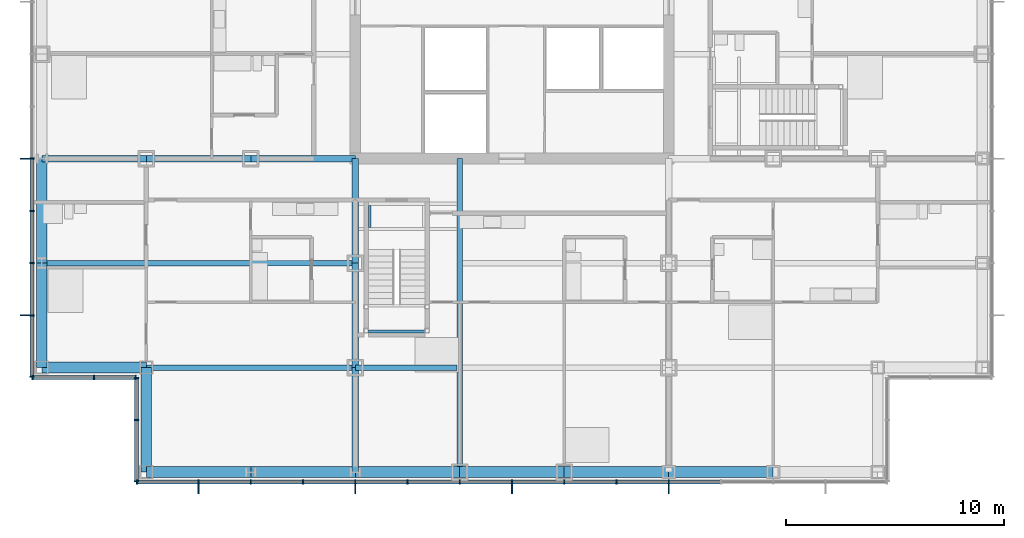
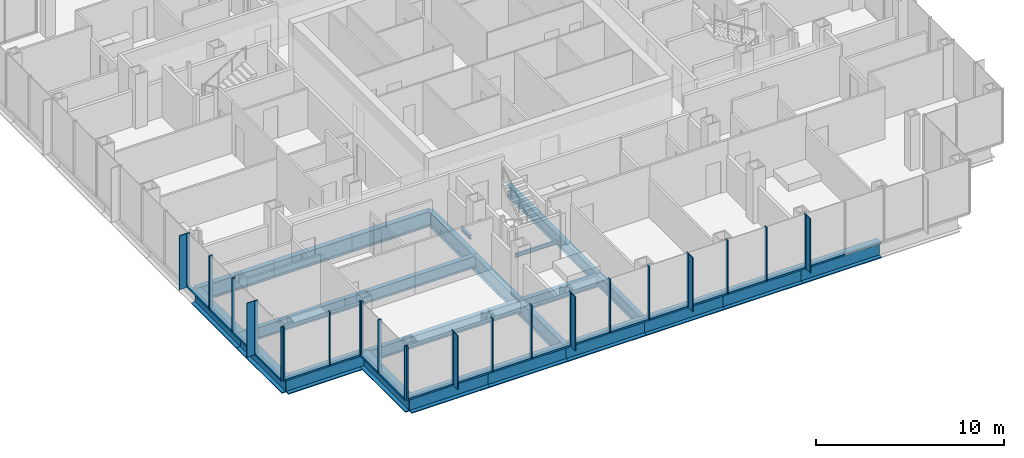
# One storey, part 6 of 21: 47 members, 22 beams, 4 elements without a shape of their own.
"""IFC4 building model written with IfcOpenShell, lengths in metres."""

from ifc_helpers import new_model, si_unit, direction, frame, origin, origin_2d, place, context, subcontext, project, spatial, rectangle, i_section, extrude, material, material_profile, profile_set, type_object, element, aggregate, save


model = new_model("IFC4")

# Units and contexts
model_context = context("Model", 3, precision=1e-05, world=origin(), true_north=direction((0.0, 1.0)))
body_context = subcontext(model_context, "Body", "Model", "MODEL_VIEW")
ifc_project = project(units=[si_unit("LENGTHUNIT", "METRE"), si_unit("AREAUNIT", "SQUARE_METRE"), si_unit("VOLUMEUNIT", "CUBIC_METRE"), si_unit("PLANEANGLEUNIT", "RADIAN"), si_unit("MASSUNIT", "GRAM", prefix="KILO")], contexts=[model_context])

# Site, building, storey
site_placement = place(None, origin())
site = spatial("IfcSite", under=ifc_project, at=site_placement, CompositionType="ELEMENT")
building_placement = place(site_placement, origin())
building = spatial("IfcBuilding", under=site, at=building_placement, Name="Kvirike Care Tower", CompositionType="ELEMENT")
storey_placement = place(building_placement, frame((0.0, 0.0, 58.5)))
storey = spatial("IfcBuildingStorey", under=building, at=storey_placement, Name="L15", CompositionType="ELEMENT", Elevation=58.5)

# Curtain wall, members
ifc_material_1 = material(Name="Anodised aluminium stick system", Category="aluminium")
curtain_wall_type = type_object("IfcCurtainWallType", Name="CW-A STICK CURTAIN WALL", PredefinedType="NOTDEFINED", material=ifc_material_1)
curtain_wall_1_placement = place(storey_placement, origin())
curtain_wall_1 = element("IfcCurtainWall", 1, at=curtain_wall_1_placement, inside=storey, type_object=curtain_wall_type, Name="Curtain wall L15 face 1", PredefinedType="NOTDEFINED")
ifc_material_2 = material(Name="Bronze anodised aluminium fin", Category="aluminium")
ifc_material_profile_1 = material_profile(ifc_material_2, rectangle(XDim=0.050048828125, YDim=0.449951171875, at=origin_2d()), Name="BRONZE FIN 450")
ifc_profile_set_1 = profile_set([ifc_material_profile_1], Name="Bronze anodised aluminium fin")
member_type_1 = type_object("IfcMemberType", Name="BRONZE FIN 450", PredefinedType="USERDEFINED", material=ifc_profile_set_1)
member_1_placement = place(storey_placement, frame((-0.77490234375, 28.800048828125, 0.0), z_axis=(0.0, 0.0, 1.0), x_axis=(0.0, -1.0, 0.0)))
member_1 = element("IfcMember", 2, at=member_1_placement, type_object=member_type_1, Name="Bronze fin L15 face 1.11", ObjectType="FIN", PredefinedType="USERDEFINED", context=body_context, shape_type="SweptSolid", body=[
    extrude(rectangle(XDim=0.050048828125, YDim=0.449951171875, at=origin_2d()), origin(), (0.0, 0.0, 1.0), 3.5),
])
member_2_placement = place(storey_placement, frame((-0.77490234375, 21.60009765625, 0.0), z_axis=(0.0, 0.0, 1.0), x_axis=(0.0, -1.0, 0.0)))
member_2 = element("IfcMember", 3, at=member_2_placement, type_object=member_type_1, Name="Bronze fin L15 face 1.14", ObjectType="FIN", PredefinedType="USERDEFINED", context=body_context, shape_type="SweptSolid", body=[
    extrude(rectangle(XDim=0.050048828125, YDim=0.449951171875, at=origin_2d()), origin(), (0.0, 0.0, 1.0), 3.5),
])

curtain_wall_2_placement = place(storey_placement, origin())
curtain_wall_2 = element("IfcCurtainWall", 4, at=curtain_wall_2_placement, inside=storey, type_object=curtain_wall_type, Name="Curtain wall L15 face 4", PredefinedType="NOTDEFINED")
member_3_placement = place(storey_placement, frame((7.199951171875, 13.625, 0.0), z_axis=(0.0, 0.0, 1.0), x_axis=(1.0, 0.0, 0.0)))
member_3 = element("IfcMember", 5, at=member_3_placement, type_object=member_type_1, Name="Bronze fin L15 face 4.2", ObjectType="FIN", PredefinedType="USERDEFINED", context=body_context, shape_type="SweptSolid", body=[
    extrude(rectangle(XDim=0.050048828125, YDim=0.449951171875, at=origin_2d()), origin(), (0.0, 0.0, 1.0), 3.5),
])
member_4_placement = place(storey_placement, frame((14.39990234375, 13.625, 0.0), z_axis=(0.0, 0.0, 1.0), x_axis=(1.0, 0.0, 0.0)))
member_4 = element("IfcMember", 6, at=member_4_placement, type_object=member_type_1, Name="Bronze fin L15 face 4.5", ObjectType="FIN", PredefinedType="USERDEFINED", context=body_context, shape_type="SweptSolid", body=[
    extrude(rectangle(XDim=0.050048828125, YDim=0.449951171875, at=origin_2d()), origin(), (0.0, 0.0, 1.0), 3.5),
])
member_5_placement = place(storey_placement, frame((21.60009765625, 13.625, 0.0), z_axis=(0.0, 0.0, 1.0), x_axis=(1.0, 0.0, 0.0)))
member_5 = element("IfcMember", 7, at=member_5_placement, type_object=member_type_1, Name="Bronze fin L15 face 4.8", ObjectType="FIN", PredefinedType="USERDEFINED", context=body_context, shape_type="SweptSolid", body=[
    extrude(rectangle(XDim=0.050048828125, YDim=0.449951171875, at=origin_2d()), origin(), (0.0, 0.0, 1.0), 3.5),
])
member_6_placement = place(storey_placement, frame((28.800048828125, 13.625, 0.0), z_axis=(0.0, 0.0, 1.0), x_axis=(1.0, 0.0, 0.0)))
member_6 = element("IfcMember", 8, at=member_6_placement, type_object=member_type_1, Name="Bronze fin L15 face 4.11", ObjectType="FIN", PredefinedType="USERDEFINED", context=body_context, shape_type="SweptSolid", body=[
    extrude(rectangle(XDim=0.050048828125, YDim=0.449951171875, at=origin_2d()), origin(), (0.0, 0.0, 1.0), 3.5),
])

# Member
ifc_material_3 = material(Name="Bronze anodised aluminium mullion", Category="aluminium")
ifc_material_profile_2 = material_profile(ifc_material_3, rectangle(XDim=0.06494140625, YDim=0.199951171875, at=origin_2d()), Name="CW-A MULLION 65x200")
ifc_profile_set_2 = profile_set([ifc_material_profile_2], Name="Bronze anodised aluminium mullion")
member_type_2 = type_object("IfcMemberType", Name="CW-A MULLION 65x200", PredefinedType="MULLION", material=ifc_profile_set_2)
member_7_placement = place(storey_placement, frame((-0.449951171875, 28.800048828125, 0.0), z_axis=(0.0, 0.0, 1.0), x_axis=(0.0, -1.0, 0.0)))
member_7 = element("IfcMember", 9, at=member_7_placement, type_object=member_type_2, Name="CW-A mullion L15 face 1.11", PredefinedType="MULLION", context=body_context, shape_type="SweptSolid", body=[
    extrude(rectangle(XDim=0.06494140625, YDim=0.199951171875, at=origin_2d()), origin(), (0.0, 0.0, 1.0), 3.5),
])

member_8_placement = place(storey_placement, frame((-0.449951171875, 26.39990234375, 0.0), z_axis=(0.0, 0.0, 1.0), x_axis=(0.0, -1.0, 0.0)))
member_8 = element("IfcMember", 10, at=member_8_placement, type_object=member_type_2, Name="CW-A mullion L15 face 1.12", PredefinedType="MULLION", context=body_context, shape_type="SweptSolid", body=[
    extrude(rectangle(XDim=0.06494140625, YDim=0.199951171875, at=origin_2d()), origin(), (0.0, 0.0, 1.0), 3.5),
])

member_9_placement = place(storey_placement, frame((-0.449951171875, 24.0, 0.0), z_axis=(0.0, 0.0, 1.0), x_axis=(0.0, -1.0, 0.0)))
member_9 = element("IfcMember", 11, at=member_9_placement, type_object=member_type_2, Name="CW-A mullion L15 face 1.13", PredefinedType="MULLION", context=body_context, shape_type="SweptSolid", body=[
    extrude(rectangle(XDim=0.06494140625, YDim=0.199951171875, at=origin_2d()), origin(), (0.0, 0.0, 1.0), 3.5),
])

member_10_placement = place(storey_placement, frame((-0.449951171875, 21.60009765625, 0.0), z_axis=(0.0, 0.0, 1.0), x_axis=(0.0, -1.0, 0.0)))
member_10 = element("IfcMember", 12, at=member_10_placement, type_object=member_type_2, Name="CW-A mullion L15 face 1.14", PredefinedType="MULLION", context=body_context, shape_type="SweptSolid", body=[
    extrude(rectangle(XDim=0.06494140625, YDim=0.199951171875, at=origin_2d()), origin(), (0.0, 0.0, 1.0), 3.5),
])

member_11_placement = place(storey_placement, frame((-0.449951171875, 18.782470703125, 0.0), z_axis=(0.0, 0.0, 1.0), x_axis=(0.0, -1.0, 0.0)))
member_11 = element("IfcMember", 13, at=member_11_placement, type_object=member_type_2, Name="CW-A mullion L15 face 1.15", PredefinedType="MULLION", context=body_context, shape_type="SweptSolid", body=[
    extrude(rectangle(XDim=0.06494140625, YDim=0.199951171875, at=origin_2d()), origin(), (0.0, 0.0, 1.0), 3.5),
])

# Curtain wall, members
curtain_wall_3_placement = place(storey_placement, origin())
curtain_wall_3 = element("IfcCurtainWall", 14, at=curtain_wall_3_placement, inside=storey, type_object=curtain_wall_type, Name="Curtain wall L15 face 2", PredefinedType="NOTDEFINED")
member_12_placement = place(storey_placement, frame((-0.41748046875, 18.75, 0.0), z_axis=(0.0, 0.0, 1.0), x_axis=(1.0, 0.0, 0.0)))
member_12 = element("IfcMember", 15, at=member_12_placement, type_object=member_type_2, Name="CW-A mullion L15 face 2.1", PredefinedType="MULLION", context=body_context, shape_type="SweptSolid", body=[
    extrude(rectangle(XDim=0.06494140625, YDim=0.199951171875, at=origin_2d()), origin(), (0.0, 0.0, 1.0), 3.5),
])
member_13_placement = place(storey_placement, frame((2.39990234375, 18.75, 0.0), z_axis=(0.0, 0.0, 1.0), x_axis=(1.0, 0.0, 0.0)))
member_13 = element("IfcMember", 16, at=member_13_placement, type_object=member_type_2, Name="CW-A mullion L15 face 2.2", PredefinedType="MULLION", context=body_context, shape_type="SweptSolid", body=[
    extrude(rectangle(XDim=0.06494140625, YDim=0.199951171875, at=origin_2d()), origin(), (0.0, 0.0, 1.0), 3.5),
])
member_14_placement = place(storey_placement, frame((4.3173828125, 18.75, 0.0), z_axis=(0.0, 0.0, 1.0), x_axis=(1.0, 0.0, 0.0)))
member_14 = element("IfcMember", 17, at=member_14_placement, type_object=member_type_2, Name="CW-A mullion L15 face 2.3", PredefinedType="MULLION", context=body_context, shape_type="SweptSolid", body=[
    extrude(rectangle(XDim=0.06494140625, YDim=0.199951171875, at=origin_2d()), origin(), (0.0, 0.0, 1.0), 3.5),
])

curtain_wall_4_placement = place(storey_placement, origin())
curtain_wall_4 = element("IfcCurtainWall", 18, at=curtain_wall_4_placement, inside=storey, type_object=curtain_wall_type, Name="Curtain wall L15 face 3", PredefinedType="NOTDEFINED")
member_15_placement = place(storey_placement, frame((4.35009765625, 18.717529296875, 0.0), z_axis=(0.0, 0.0, 1.0), x_axis=(0.0, -1.0, 0.0)))
member_15 = element("IfcMember", 19, at=member_15_placement, type_object=member_type_2, Name="CW-A mullion L15 face 3.1", PredefinedType="MULLION", context=body_context, shape_type="SweptSolid", body=[
    extrude(rectangle(XDim=0.06494140625, YDim=0.199951171875, at=origin_2d()), origin(), (0.0, 0.0, 1.0), 3.5),
])
member_16_placement = place(storey_placement, frame((4.35009765625, 16.800048828125, 0.0), z_axis=(0.0, 0.0, 1.0), x_axis=(0.0, -1.0, 0.0)))
member_16 = element("IfcMember", 20, at=member_16_placement, type_object=member_type_2, Name="CW-A mullion L15 face 3.2", PredefinedType="MULLION", context=body_context, shape_type="SweptSolid", body=[
    extrude(rectangle(XDim=0.06494140625, YDim=0.199951171875, at=origin_2d()), origin(), (0.0, 0.0, 1.0), 3.5),
])
member_17_placement = place(storey_placement, frame((4.35009765625, 13.982421875, 0.0), z_axis=(0.0, 0.0, 1.0), x_axis=(0.0, -1.0, 0.0)))
member_17 = element("IfcMember", 21, at=member_17_placement, type_object=member_type_2, Name="CW-A mullion L15 face 3.3", PredefinedType="MULLION", context=body_context, shape_type="SweptSolid", body=[
    extrude(rectangle(XDim=0.06494140625, YDim=0.199951171875, at=origin_2d()), origin(), (0.0, 0.0, 1.0), 3.5),
])

# Member
member_18_placement = place(storey_placement, frame((4.382568359375, 13.949951171875, 0.0), z_axis=(0.0, 0.0, 1.0), x_axis=(1.0, 0.0, 0.0)))
member_18 = element("IfcMember", 22, at=member_18_placement, type_object=member_type_2, Name="CW-A mullion L15 face 4.1", PredefinedType="MULLION", context=body_context, shape_type="SweptSolid", body=[
    extrude(rectangle(XDim=0.06494140625, YDim=0.199951171875, at=origin_2d()), origin(), (0.0, 0.0, 1.0), 3.5),
])

member_19_placement = place(storey_placement, frame((7.199951171875, 13.949951171875, 0.0), z_axis=(0.0, 0.0, 1.0), x_axis=(1.0, 0.0, 0.0)))
member_19 = element("IfcMember", 23, at=member_19_placement, type_object=member_type_2, Name="CW-A mullion L15 face 4.2", PredefinedType="MULLION", context=body_context, shape_type="SweptSolid", body=[
    extrude(rectangle(XDim=0.06494140625, YDim=0.199951171875, at=origin_2d()), origin(), (0.0, 0.0, 1.0), 3.5),
])

member_20_placement = place(storey_placement, frame((9.60009765625, 13.949951171875, 0.0), z_axis=(0.0, 0.0, 1.0), x_axis=(1.0, 0.0, 0.0)))
member_20 = element("IfcMember", 24, at=member_20_placement, type_object=member_type_2, Name="CW-A mullion L15 face 4.3", PredefinedType="MULLION", context=body_context, shape_type="SweptSolid", body=[
    extrude(rectangle(XDim=0.06494140625, YDim=0.199951171875, at=origin_2d()), origin(), (0.0, 0.0, 1.0), 3.5),
])

member_21_placement = place(storey_placement, frame((12.0, 13.949951171875, 0.0), z_axis=(0.0, 0.0, 1.0), x_axis=(1.0, 0.0, 0.0)))
member_21 = element("IfcMember", 25, at=member_21_placement, type_object=member_type_2, Name="CW-A mullion L15 face 4.4", PredefinedType="MULLION", context=body_context, shape_type="SweptSolid", body=[
    extrude(rectangle(XDim=0.06494140625, YDim=0.199951171875, at=origin_2d()), origin(), (0.0, 0.0, 1.0), 3.5),
])

member_22_placement = place(storey_placement, frame((14.39990234375, 13.949951171875, 0.0), z_axis=(0.0, 0.0, 1.0), x_axis=(1.0, 0.0, 0.0)))
member_22 = element("IfcMember", 26, at=member_22_placement, type_object=member_type_2, Name="CW-A mullion L15 face 4.5", PredefinedType="MULLION", context=body_context, shape_type="SweptSolid", body=[
    extrude(rectangle(XDim=0.06494140625, YDim=0.199951171875, at=origin_2d()), origin(), (0.0, 0.0, 1.0), 3.5),
])

member_23_placement = place(storey_placement, frame((16.800048828125, 13.949951171875, 0.0), z_axis=(0.0, 0.0, 1.0), x_axis=(1.0, 0.0, 0.0)))
member_23 = element("IfcMember", 27, at=member_23_placement, type_object=member_type_2, Name="CW-A mullion L15 face 4.6", PredefinedType="MULLION", context=body_context, shape_type="SweptSolid", body=[
    extrude(rectangle(XDim=0.06494140625, YDim=0.199951171875, at=origin_2d()), origin(), (0.0, 0.0, 1.0), 3.5),
])

member_24_placement = place(storey_placement, frame((19.199951171875, 13.949951171875, 0.0), z_axis=(0.0, 0.0, 1.0), x_axis=(1.0, 0.0, 0.0)))
member_24 = element("IfcMember", 28, at=member_24_placement, type_object=member_type_2, Name="CW-A mullion L15 face 4.7", PredefinedType="MULLION", context=body_context, shape_type="SweptSolid", body=[
    extrude(rectangle(XDim=0.06494140625, YDim=0.199951171875, at=origin_2d()), origin(), (0.0, 0.0, 1.0), 3.5),
])

member_25_placement = place(storey_placement, frame((21.60009765625, 13.949951171875, 0.0), z_axis=(0.0, 0.0, 1.0), x_axis=(1.0, 0.0, 0.0)))
member_25 = element("IfcMember", 29, at=member_25_placement, type_object=member_type_2, Name="CW-A mullion L15 face 4.8", PredefinedType="MULLION", context=body_context, shape_type="SweptSolid", body=[
    extrude(rectangle(XDim=0.06494140625, YDim=0.199951171875, at=origin_2d()), origin(), (0.0, 0.0, 1.0), 3.5),
])

member_26_placement = place(storey_placement, frame((24.0, 13.949951171875, 0.0), z_axis=(0.0, 0.0, 1.0), x_axis=(1.0, 0.0, 0.0)))
member_26 = element("IfcMember", 30, at=member_26_placement, type_object=member_type_2, Name="CW-A mullion L15 face 4.9", PredefinedType="MULLION", context=body_context, shape_type="SweptSolid", body=[
    extrude(rectangle(XDim=0.06494140625, YDim=0.199951171875, at=origin_2d()), origin(), (0.0, 0.0, 1.0), 3.5),
])

member_27_placement = place(storey_placement, frame((26.39990234375, 13.949951171875, 0.0), z_axis=(0.0, 0.0, 1.0), x_axis=(1.0, 0.0, 0.0)))
member_27 = element("IfcMember", 31, at=member_27_placement, type_object=member_type_2, Name="CW-A mullion L15 face 4.10", PredefinedType="MULLION", context=body_context, shape_type="SweptSolid", body=[
    extrude(rectangle(XDim=0.06494140625, YDim=0.199951171875, at=origin_2d()), origin(), (0.0, 0.0, 1.0), 3.5),
])

member_28_placement = place(storey_placement, frame((28.800048828125, 13.949951171875, 0.0), z_axis=(0.0, 0.0, 1.0), x_axis=(1.0, 0.0, 0.0)))
member_28 = element("IfcMember", 32, at=member_28_placement, type_object=member_type_2, Name="CW-A mullion L15 face 4.11", PredefinedType="MULLION", context=body_context, shape_type="SweptSolid", body=[
    extrude(rectangle(XDim=0.06494140625, YDim=0.199951171875, at=origin_2d()), origin(), (0.0, 0.0, 1.0), 3.5),
])

ifc_material_4 = material(Name="Bronze anodised aluminium transom", Category="aluminium")
ifc_material_profile_3 = material_profile(ifc_material_4, rectangle(XDim=0.199951171875, YDim=0.10009765625, at=origin_2d()), Name="CW-A TRANSOM 200x100")
ifc_profile_set_3 = profile_set([ifc_material_profile_3], Name="Bronze anodised aluminium transom")
member_type_3 = type_object("IfcMemberType", Name="CW-A TRANSOM 200x100", PredefinedType="USERDEFINED", material=ifc_profile_set_3)
member_29_placement = place(storey_placement, frame((-0.449951171875, 28.767578125, 0.050048828125), z_axis=(0.0, -1.0, 0.0), x_axis=(1.0, 0.0, 0.0)))
member_29 = element("IfcMember", 33, at=member_29_placement, type_object=member_type_3, Name="CW-A sill transom L15 face 1.11", ObjectType="TRANSOM", PredefinedType="USERDEFINED", context=body_context, shape_type="SweptSolid", body=[
    extrude(rectangle(XDim=0.199951171875, YDim=0.10009765625, at=origin_2d()), origin(), (0.0, 0.0, 1.0), 2.3349609375),
])

member_30_placement = place(storey_placement, frame((-0.449951171875, 26.367431640625, 0.050048828125), z_axis=(0.0, -1.0, 0.0), x_axis=(1.0, 0.0, 0.0)))
member_30 = element("IfcMember", 34, at=member_30_placement, type_object=member_type_3, Name="CW-A sill transom L15 face 1.12", ObjectType="TRANSOM", PredefinedType="USERDEFINED", context=body_context, shape_type="SweptSolid", body=[
    extrude(rectangle(XDim=0.199951171875, YDim=0.10009765625, at=origin_2d()), origin(), (0.0, 0.0, 1.0), 2.3349609375),
])

member_31_placement = place(storey_placement, frame((-0.449951171875, 23.967529296875, 0.050048828125), z_axis=(0.0, -1.0, 0.0), x_axis=(1.0, 0.0, 0.0)))
member_31 = element("IfcMember", 35, at=member_31_placement, type_object=member_type_3, Name="CW-A sill transom L15 face 1.13", ObjectType="TRANSOM", PredefinedType="USERDEFINED", context=body_context, shape_type="SweptSolid", body=[
    extrude(rectangle(XDim=0.199951171875, YDim=0.10009765625, at=origin_2d()), origin(), (0.0, 0.0, 1.0), 2.3349609375),
])

member_32_placement = place(storey_placement, frame((-0.449951171875, 21.5673828125, 0.050048828125), z_axis=(0.0, -1.0, 0.0), x_axis=(1.0, 0.0, 0.0)))
member_32 = element("IfcMember", 36, at=member_32_placement, type_object=member_type_3, Name="CW-A sill transom L15 face 1.14", ObjectType="TRANSOM", PredefinedType="USERDEFINED", context=body_context, shape_type="SweptSolid", body=[
    extrude(rectangle(XDim=0.199951171875, YDim=0.10009765625, at=origin_2d()), origin(), (0.0, 0.0, 1.0), 2.75244140625),
])

aggregate(curtain_wall_1, [member_7, member_1, member_8, member_9, member_10, member_2, member_11, member_29, member_30, member_31, member_32])

member_33_placement = place(storey_placement, frame((-0.385009765625, 18.75, 0.050048828125), z_axis=(1.0, 0.0, 0.0), x_axis=(0.0, 1.0, 0.0)))
member_33 = element("IfcMember", 37, at=member_33_placement, type_object=member_type_3, Name="CW-A sill transom L15 face 2.1", ObjectType="TRANSOM", PredefinedType="USERDEFINED", context=body_context, shape_type="SweptSolid", body=[
    extrude(rectangle(XDim=0.199951171875, YDim=0.10009765625, at=origin_2d()), origin(), (0.0, 0.0, 1.0), 2.75244140625),
])

member_34_placement = place(storey_placement, frame((2.4326171875, 18.75, 0.050048828125), z_axis=(1.0, 0.0, 0.0), x_axis=(0.0, 1.0, 0.0)))
member_34 = element("IfcMember", 38, at=member_34_placement, type_object=member_type_3, Name="CW-A sill transom L15 face 2.2", ObjectType="TRANSOM", PredefinedType="USERDEFINED", context=body_context, shape_type="SweptSolid", body=[
    extrude(rectangle(XDim=0.199951171875, YDim=0.10009765625, at=origin_2d()), origin(), (0.0, 0.0, 1.0), 1.852294921875),
])

aggregate(curtain_wall_3, [member_12, member_13, member_14, member_33, member_34])

member_35_placement = place(storey_placement, frame((4.35009765625, 18.68505859375, 0.050048828125), z_axis=(0.0, -1.0, 0.0), x_axis=(1.0, 0.0, 0.0)))
member_35 = element("IfcMember", 39, at=member_35_placement, type_object=member_type_3, Name="CW-A sill transom L15 face 3.1", ObjectType="TRANSOM", PredefinedType="USERDEFINED", context=body_context, shape_type="SweptSolid", body=[
    extrude(rectangle(XDim=0.199951171875, YDim=0.10009765625, at=origin_2d()), origin(), (0.0, 0.0, 1.0), 1.8525390625),
])

member_36_placement = place(storey_placement, frame((4.35009765625, 16.767578125, 0.050048828125), z_axis=(0.0, -1.0, 0.0), x_axis=(1.0, 0.0, 0.0)))
member_36 = element("IfcMember", 40, at=member_36_placement, type_object=member_type_3, Name="CW-A sill transom L15 face 3.2", ObjectType="TRANSOM", PredefinedType="USERDEFINED", context=body_context, shape_type="SweptSolid", body=[
    extrude(rectangle(XDim=0.199951171875, YDim=0.10009765625, at=origin_2d()), origin(), (0.0, 0.0, 1.0), 2.752685546875),
])

aggregate(curtain_wall_4, [member_15, member_16, member_17, member_35, member_36])

member_37_placement = place(storey_placement, frame((4.4150390625, 13.949951171875, 0.050048828125), z_axis=(1.0, 0.0, 0.0), x_axis=(0.0, 1.0, 0.0)))
member_37 = element("IfcMember", 41, at=member_37_placement, type_object=member_type_3, Name="CW-A sill transom L15 face 4.1", ObjectType="TRANSOM", PredefinedType="USERDEFINED", context=body_context, shape_type="SweptSolid", body=[
    extrude(rectangle(XDim=0.199951171875, YDim=0.10009765625, at=origin_2d()), origin(), (0.0, 0.0, 1.0), 2.75244140625),
])

member_38_placement = place(storey_placement, frame((7.232421875, 13.949951171875, 0.050048828125), z_axis=(1.0, 0.0, 0.0), x_axis=(0.0, 1.0, 0.0)))
member_38 = element("IfcMember", 42, at=member_38_placement, type_object=member_type_3, Name="CW-A sill transom L15 face 4.2", ObjectType="TRANSOM", PredefinedType="USERDEFINED", context=body_context, shape_type="SweptSolid", body=[
    extrude(rectangle(XDim=0.199951171875, YDim=0.10009765625, at=origin_2d()), origin(), (0.0, 0.0, 1.0), 2.3349609375),
])

member_39_placement = place(storey_placement, frame((9.632568359375, 13.949951171875, 0.050048828125), z_axis=(1.0, 0.0, 0.0), x_axis=(0.0, 1.0, 0.0)))
member_39 = element("IfcMember", 43, at=member_39_placement, type_object=member_type_3, Name="CW-A sill transom L15 face 4.3", ObjectType="TRANSOM", PredefinedType="USERDEFINED", context=body_context, shape_type="SweptSolid", body=[
    extrude(rectangle(XDim=0.199951171875, YDim=0.10009765625, at=origin_2d()), origin(), (0.0, 0.0, 1.0), 2.3349609375),
])

member_40_placement = place(storey_placement, frame((12.032470703125, 13.949951171875, 0.050048828125), z_axis=(1.0, 0.0, 0.0), x_axis=(0.0, 1.0, 0.0)))
member_40 = element("IfcMember", 44, at=member_40_placement, type_object=member_type_3, Name="CW-A sill transom L15 face 4.4", ObjectType="TRANSOM", PredefinedType="USERDEFINED", context=body_context, shape_type="SweptSolid", body=[
    extrude(rectangle(XDim=0.199951171875, YDim=0.10009765625, at=origin_2d()), origin(), (0.0, 0.0, 1.0), 2.3349609375),
])

member_41_placement = place(storey_placement, frame((14.4326171875, 13.949951171875, 0.050048828125), z_axis=(1.0, 0.0, 0.0), x_axis=(0.0, 1.0, 0.0)))
member_41 = element("IfcMember", 45, at=member_41_placement, type_object=member_type_3, Name="CW-A sill transom L15 face 4.5", ObjectType="TRANSOM", PredefinedType="USERDEFINED", context=body_context, shape_type="SweptSolid", body=[
    extrude(rectangle(XDim=0.199951171875, YDim=0.10009765625, at=origin_2d()), origin(), (0.0, 0.0, 1.0), 2.3349609375),
])

member_42_placement = place(storey_placement, frame((16.83251953125, 13.949951171875, 0.050048828125), z_axis=(1.0, 0.0, 0.0), x_axis=(0.0, 1.0, 0.0)))
member_42 = element("IfcMember", 46, at=member_42_placement, type_object=member_type_3, Name="CW-A sill transom L15 face 4.6", ObjectType="TRANSOM", PredefinedType="USERDEFINED", context=body_context, shape_type="SweptSolid", body=[
    extrude(rectangle(XDim=0.199951171875, YDim=0.10009765625, at=origin_2d()), origin(), (0.0, 0.0, 1.0), 2.3349609375),
])

member_43_placement = place(storey_placement, frame((19.232421875, 13.949951171875, 0.050048828125), z_axis=(1.0, 0.0, 0.0), x_axis=(0.0, 1.0, 0.0)))
member_43 = element("IfcMember", 47, at=member_43_placement, type_object=member_type_3, Name="CW-A sill transom L15 face 4.7", ObjectType="TRANSOM", PredefinedType="USERDEFINED", context=body_context, shape_type="SweptSolid", body=[
    extrude(rectangle(XDim=0.199951171875, YDim=0.10009765625, at=origin_2d()), origin(), (0.0, 0.0, 1.0), 2.3349609375),
])

member_44_placement = place(storey_placement, frame((21.632568359375, 13.949951171875, 0.050048828125), z_axis=(1.0, 0.0, 0.0), x_axis=(0.0, 1.0, 0.0)))
member_44 = element("IfcMember", 48, at=member_44_placement, type_object=member_type_3, Name="CW-A sill transom L15 face 4.8", ObjectType="TRANSOM", PredefinedType="USERDEFINED", context=body_context, shape_type="SweptSolid", body=[
    extrude(rectangle(XDim=0.199951171875, YDim=0.10009765625, at=origin_2d()), origin(), (0.0, 0.0, 1.0), 2.3349609375),
])

member_45_placement = place(storey_placement, frame((24.032470703125, 13.949951171875, 0.050048828125), z_axis=(1.0, 0.0, 0.0), x_axis=(0.0, 1.0, 0.0)))
member_45 = element("IfcMember", 49, at=member_45_placement, type_object=member_type_3, Name="CW-A sill transom L15 face 4.9", ObjectType="TRANSOM", PredefinedType="USERDEFINED", context=body_context, shape_type="SweptSolid", body=[
    extrude(rectangle(XDim=0.199951171875, YDim=0.10009765625, at=origin_2d()), origin(), (0.0, 0.0, 1.0), 2.3349609375),
])

member_46_placement = place(storey_placement, frame((26.4326171875, 13.949951171875, 0.050048828125), z_axis=(1.0, 0.0, 0.0), x_axis=(0.0, 1.0, 0.0)))
member_46 = element("IfcMember", 50, at=member_46_placement, type_object=member_type_3, Name="CW-A sill transom L15 face 4.10", ObjectType="TRANSOM", PredefinedType="USERDEFINED", context=body_context, shape_type="SweptSolid", body=[
    extrude(rectangle(XDim=0.199951171875, YDim=0.10009765625, at=origin_2d()), origin(), (0.0, 0.0, 1.0), 2.3349609375),
])

member_47_placement = place(storey_placement, frame((28.83251953125, 13.949951171875, 0.050048828125), z_axis=(1.0, 0.0, 0.0), x_axis=(0.0, 1.0, 0.0)))
member_47 = element("IfcMember", 51, at=member_47_placement, type_object=member_type_3, Name="CW-A sill transom L15 face 4.11", ObjectType="TRANSOM", PredefinedType="USERDEFINED", context=body_context, shape_type="SweptSolid", body=[
    extrude(rectangle(XDim=0.199951171875, YDim=0.10009765625, at=origin_2d()), origin(), (0.0, 0.0, 1.0), 2.3349609375),
])

aggregate(curtain_wall_2, [member_18, member_19, member_3, member_20, member_21, member_22, member_4, member_23, member_24, member_25, member_5, member_26, member_27, member_28, member_6, member_37, member_38, member_39, member_40, member_41, member_42, member_43, member_44, member_45, member_46, member_47])

# Beams
ifc_material_5 = material(Name="Steel S355", Category="steel")
ifc_material_profile_4 = material_profile(ifc_material_5, i_section(OverallWidth=0.26806640625, OverallDepth=0.77001953125, WebThickness=0.015625, FlangeThickness=0.025390625, FilletRadius=0.01708984375, at=origin_2d()), Name="IPE 750x196")
ifc_profile_set_4 = profile_set([ifc_material_profile_4], Name="Steel S355")
beam_type_1 = type_object("IfcBeamType", Name="FLOOR BEAM IPE 750x196", PredefinedType="BEAM", material=ifc_profile_set_4)
beam_1_placement = place(storey_placement, frame((4.800048828125, 19.199951171875, -0.554931640625), z_axis=(1.0, 0.0, 0.0), x_axis=(0.0, 1.0, 0.0)))
element("IfcBeam", 52, at=beam_1_placement, inside=storey, type_object=beam_type_1, Name="Floor Beam E4-E6 L15", PredefinedType="BEAM", context=body_context, shape_type="SweptSolid", body=[
    extrude(i_section(OverallWidth=0.26806640625, OverallDepth=0.77001953125, WebThickness=0.015625, FlangeThickness=0.025390625, FilletRadius=0.01708984375, at=origin_2d()), origin(), (0.0, 0.0, 1.0), 9.599853515625),
])
beam_2_placement = place(storey_placement, frame((14.39990234375, 19.199951171875, -0.554931640625), z_axis=(1.0, 0.0, 0.0), x_axis=(0.0, 1.0, 0.0)))
element("IfcBeam", 53, at=beam_2_placement, inside=storey, type_object=beam_type_1, Name="Floor Beam E6-E7 L15", PredefinedType="BEAM", context=body_context, shape_type="SweptSolid", body=[
    extrude(i_section(OverallWidth=0.26806640625, OverallDepth=0.77001953125, WebThickness=0.015625, FlangeThickness=0.025390625, FilletRadius=0.01708984375, at=origin_2d()), origin(), (0.0, 0.0, 1.0), 4.666015625),
])
beam_3_placement = place(storey_placement, frame((0.0, 24.0, -0.554931640625), z_axis=(1.0, 0.0, 0.0), x_axis=(0.0, 1.0, 0.0)))
element("IfcBeam", 54, at=beam_3_placement, inside=storey, type_object=beam_type_1, Name="Floor Beam F3-F6 L15", PredefinedType="BEAM", context=body_context, shape_type="SweptSolid", body=[
    extrude(i_section(OverallWidth=0.26806640625, OverallDepth=0.77001953125, WebThickness=0.015625, FlangeThickness=0.025390625, FilletRadius=0.01708984375, at=origin_2d()), origin(), (0.0, 0.0, 1.0), 14.39990234375),
])
beam_4_placement = place(storey_placement, frame((19.199951171875, 14.39990234375, -0.554931640625), z_axis=(0.0, 1.0, 0.0), x_axis=(-1.0, 0.0, 0.0)))
element("IfcBeam", 55, at=beam_4_placement, inside=storey, type_object=beam_type_1, Name="Floor Beam D7-G7 L15", PredefinedType="BEAM", context=body_context, shape_type="SweptSolid", body=[
    extrude(i_section(OverallWidth=0.26806640625, OverallDepth=0.77001953125, WebThickness=0.015625, FlangeThickness=0.025390625, FilletRadius=0.01708984375, at=origin_2d()), origin(), (0.0, 0.0, 1.0), 14.400146484375),
])
ifc_material_6 = material(Name="Steel S355", Category="steel")
ifc_material_profile_5 = material_profile(ifc_material_6, i_section(OverallWidth=0.300048828125, OverallDepth=1.0, WebThickness=0.01904296875, FlangeThickness=0.035888671875, FilletRadius=0.030029296875, at=origin_2d()), Name="HE 1000 B")
ifc_profile_set_5 = profile_set([ifc_material_profile_5], Name="Steel S355")
beam_type_2 = type_object("IfcBeamType", Name="FRAME BEAM HE 1000 B", PredefinedType="BEAM", material=ifc_profile_set_5)
for number, where, z_axis, x_axis, name in (
    (56, (0.0, 28.800048828125, -0.669921875), (1.0, 0.0, 0.0), (0.0, 1.0, 0.0), "Frame Beam G3-G4 L15"),
    (57, (4.800048828125, 28.800048828125, -0.669921875), (1.0, 0.0, 0.0), (0.0, 1.0, 0.0), "Frame Beam G4-G5 L15"),
):
    element("IfcBeam", number, at=place(storey_placement, frame(where, z_axis=z_axis, x_axis=x_axis)), inside=storey, type_object=beam_type_2, Name=name, PredefinedType="BEAM", context=body_context, shape_type="SweptSolid", body=[
        extrude(i_section(OverallWidth=0.300048828125, OverallDepth=1.0, WebThickness=0.01904296875, FlangeThickness=0.035888671875, FilletRadius=0.030029296875, at=origin_2d()), origin(), (0.0, 0.0, 1.0), 4.800048828125),
    ])
beam_5_placement = place(storey_placement, frame((9.60009765625, 28.800048828125, -0.669921875), z_axis=(1.0, 0.0, 0.0), x_axis=(0.0, 1.0, 0.0)))
element("IfcBeam", 58, at=beam_5_placement, inside=storey, type_object=beam_type_2, Name="Frame Beam G5-G6 L15", PredefinedType="BEAM", context=body_context, shape_type="SweptSolid", body=[
    extrude(i_section(OverallWidth=0.300048828125, OverallDepth=1.0, WebThickness=0.01904296875, FlangeThickness=0.035888671875, FilletRadius=0.030029296875, at=origin_2d()), origin(), (0.0, 0.0, 1.0), 4.7998046875),
])
for number, where, z_axis, x_axis, name in (
    (59, (14.39990234375, 14.39990234375, -0.669921875), (0.0, 1.0, 0.0), (-1.0, 0.0, 0.0), "Frame Beam D6-E6 L15"),
    (60, (14.39990234375, 19.199951171875, -0.669921875), (0.0, 1.0, 0.0), (-1.0, 0.0, 0.0), "Frame Beam E6-F6 L15"),
    (61, (14.39990234375, 24.0, -0.669921875), (0.0, 1.0, 0.0), (-1.0, 0.0, 0.0), "Frame Beam F6-G6 L15"),
):
    element("IfcBeam", number, at=place(storey_placement, frame(where, z_axis=z_axis, x_axis=x_axis)), inside=storey, type_object=beam_type_2, Name=name, PredefinedType="BEAM", context=body_context, shape_type="SweptSolid", body=[
        extrude(i_section(OverallWidth=0.300048828125, OverallDepth=1.0, WebThickness=0.01904296875, FlangeThickness=0.035888671875, FilletRadius=0.030029296875, at=origin_2d()), origin(), (0.0, 0.0, 1.0), 4.800048828125),
    ])
ifc_material_7 = material(Name="Steel S355", Category="steel")
ifc_material_profile_6 = material_profile(ifc_material_7, i_section(OverallWidth=0.5, OverallDepth=1.0, WebThickness=0.030029296875, FlangeThickness=0.06005859375, at=origin_2d()), Name="PG 1000x500x30x60")
ifc_profile_set_6 = profile_set([ifc_material_profile_6], Name="Steel S355")
beam_type_3 = type_object("IfcBeamType", Name="SPANDREL PG 1000x500x30x60", PredefinedType="SPANDREL", material=ifc_profile_set_6)
beam_6_placement = place(storey_placement, frame((4.800048828125, 14.39990234375, -0.669921875), z_axis=(1.0, 0.0, 0.0), x_axis=(0.0, 1.0, 0.0)))
element("IfcBeam", 62, at=beam_6_placement, inside=storey, type_object=beam_type_3, Name="Spandrel D4-D5 L15", PredefinedType="SPANDREL", context=body_context, shape_type="SweptSolid", body=[
    extrude(i_section(OverallWidth=0.5, OverallDepth=1.0, WebThickness=0.030029296875, FlangeThickness=0.06005859375, at=origin_2d()), origin(), (0.0, 0.0, 1.0), 4.800048828125),
])
beam_7_placement = place(storey_placement, frame((9.60009765625, 14.39990234375, -0.669921875), z_axis=(1.0, 0.0, 0.0), x_axis=(0.0, 1.0, 0.0)))
element("IfcBeam", 63, at=beam_7_placement, inside=storey, type_object=beam_type_3, Name="Spandrel D5-D6 L15", PredefinedType="SPANDREL", context=body_context, shape_type="SweptSolid", body=[
    extrude(i_section(OverallWidth=0.5, OverallDepth=1.0, WebThickness=0.030029296875, FlangeThickness=0.06005859375, at=origin_2d()), origin(), (0.0, 0.0, 1.0), 4.7998046875),
])
for number, where, z_axis, x_axis, name in (
    (64, (14.39990234375, 14.39990234375, -0.669921875), (1.0, 0.0, 0.0), (0.0, 1.0, 0.0), "Spandrel D6-D7 L15"),
    (65, (19.199951171875, 14.39990234375, -0.669921875), (1.0, 0.0, 0.0), (0.0, 1.0, 0.0), "Spandrel D7-D8 L15"),
    (66, (24.0, 14.39990234375, -0.669921875), (1.0, 0.0, 0.0), (0.0, 1.0, 0.0), "Spandrel D8-D9 L15"),
    (67, (28.800048828125, 14.39990234375, -0.669921875), (1.0, 0.0, 0.0), (0.0, 1.0, 0.0), "Spandrel D9-D10 L15"),
    (68, (0.0, 19.199951171875, -0.669921875), (1.0, 0.0, 0.0), (0.0, 1.0, 0.0), "Spandrel E3-E4 L15"),
    (69, (0.0, 19.199951171875, -0.669921875), (0.0, 1.0, 0.0), (-1.0, 0.0, 0.0), "Spandrel E3-F3 L15"),
    (70, (0.0, 24.0, -0.669921875), (0.0, 1.0, 0.0), (-1.0, 0.0, 0.0), "Spandrel F3-G3 L15"),
    (71, (4.800048828125, 14.39990234375, -0.669921875), (0.0, 1.0, 0.0), (-1.0, 0.0, 0.0), "Spandrel D4-E4 L15"),
):
    element("IfcBeam", number, at=place(storey_placement, frame(where, z_axis=z_axis, x_axis=x_axis)), inside=storey, type_object=beam_type_3, Name=name, PredefinedType="SPANDREL", context=body_context, shape_type="SweptSolid", body=[
        extrude(i_section(OverallWidth=0.5, OverallDepth=1.0, WebThickness=0.030029296875, FlangeThickness=0.06005859375, at=origin_2d()), origin(), (0.0, 0.0, 1.0), 4.800048828125),
    ])
ifc_material_8 = material(Name="Steel S355", Category="steel")
ifc_material_profile_7 = material_profile(ifc_material_8, i_section(OverallWidth=0.1201171875, OverallDepth=0.239990234375, WebThickness=0.006103515625, FlangeThickness=0.009765625, FilletRadius=0.014892578125, at=origin_2d()), Name="IPE 240")
ifc_profile_set_7 = profile_set([ifc_material_profile_7], Name="Steel S355")
beam_type_4 = type_object("IfcBeamType", Name="STAIR LANDING BEAM IPE 240", PredefinedType="BEAM", material=ifc_profile_set_7)
beam_8_placement = place(storey_placement, frame((15.0, 20.860107421875, 1.429931640625), z_axis=(1.0, 0.0, 0.0), x_axis=(0.0, 1.0, 0.0)))
element("IfcBeam", 72, at=beam_8_placement, inside=storey, type_object=beam_type_4, Name="Stair 5 landing beam back L15", PredefinedType="BEAM", context=body_context, shape_type="SweptSolid", body=[
    extrude(i_section(OverallWidth=0.1201171875, OverallDepth=0.239990234375, WebThickness=0.006103515625, FlangeThickness=0.009765625, FilletRadius=0.014892578125, at=origin_2d()), origin(), (0.0, 0.0, 1.0), 2.60009765625),
])
beam_9_placement = place(storey_placement, frame((15.06005859375, 25.64990234375, -0.320068359375), z_axis=(0.0, 1.0, 0.0), x_axis=(-1.0, 0.0, 0.0)))
element("IfcBeam", 73, at=beam_9_placement, inside=storey, type_object=beam_type_4, Name="Stair 5 landing edge beam 1 L15", PredefinedType="BEAM", context=body_context, shape_type="SweptSolid", body=[
    extrude(i_section(OverallWidth=0.1201171875, OverallDepth=0.239990234375, WebThickness=0.006103515625, FlangeThickness=0.009765625, FilletRadius=0.014892578125, at=origin_2d()), origin(), (0.0, 0.0, 1.0), 1.0),
])

save(model, "model.ifc")
